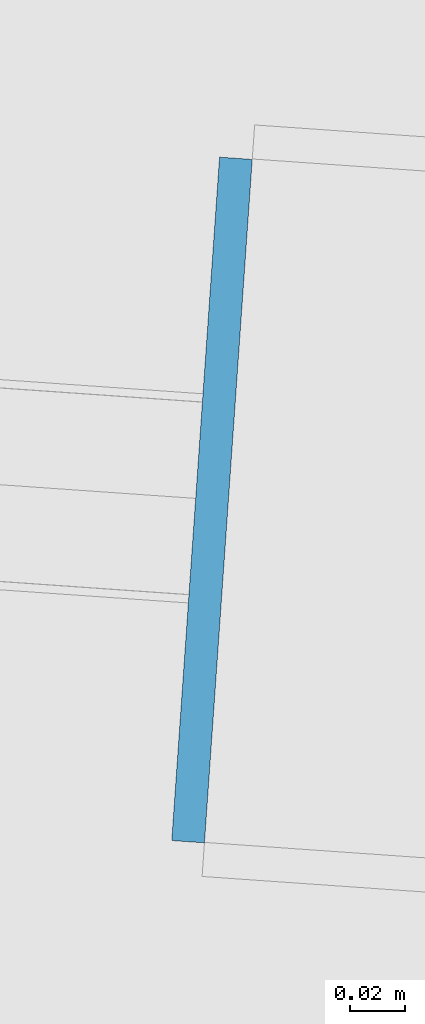
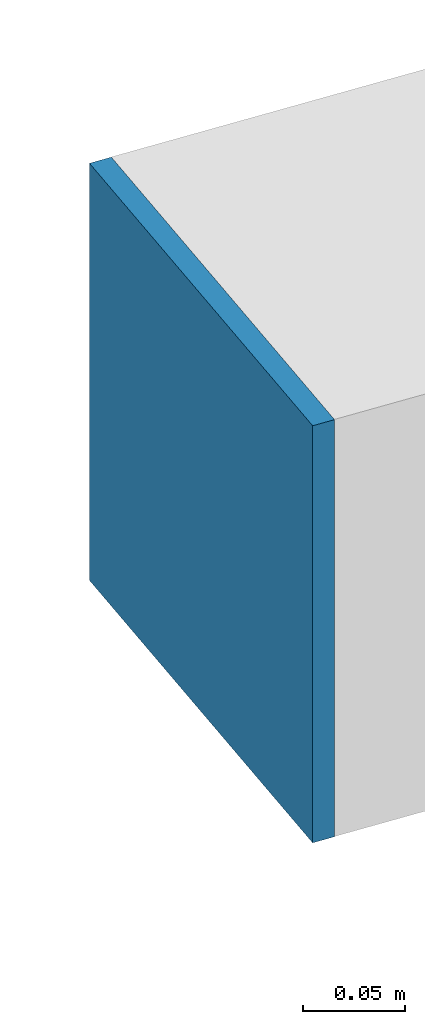
# One storey, part 29 of 39: 1 plate.
"""IFC4 building model written with IfcOpenShell, lengths in metres."""

from ifc_helpers import new_model, si_unit, direction, frame, origin, origin_2d, place, context, subcontext, project, spatial, rectangle, extrude, source, transform, mapped, material, layer, layer_set, type_object, element, save


model = new_model("IFC4")

# Units and contexts
model_context = context("Model", 3, precision=1e-05, world=origin(), true_north=direction((0.0, 1.0)))
body_context = subcontext(model_context, "Body", "Model", "MODEL_VIEW")
ifc_project = project(units=[si_unit("LENGTHUNIT", "METRE"), si_unit("AREAUNIT", "SQUARE_METRE"), si_unit("VOLUMEUNIT", "CUBIC_METRE"), si_unit("PLANEANGLEUNIT", "RADIAN"), si_unit("MASSUNIT", "GRAM", prefix="KILO")], contexts=[model_context])

# Site, building, storey
site_placement = place(None, origin())
site = spatial("IfcSite", under=ifc_project, at=site_placement, CompositionType="ELEMENT")
building_placement = place(site_placement, origin())
building = spatial("IfcBuilding", under=site, at=building_placement, Name="Taldren Reach Tower", CompositionType="ELEMENT")
storey_placement = place(building_placement, frame((0.0, 0.0, 120.39990234375)))
storey = spatial("IfcBuildingStorey", under=building, at=storey_placement, Name="L36", CompositionType="ELEMENT", Elevation=120.39990234375)

# Plate
ifc_material = material(Name="Steel Gr 350 (C350L0)", Category="steel")
ifc_layer = layer(ifc_material, 0.011962890625)
ifc_layer_set = layer_set([ifc_layer], Name="Steel Gr 350 (C350L0)")
plate_type = type_object("IfcPlateType", Name="PL-CAP-250", PredefinedType="SHEET", material=ifc_layer_set)
shared_shape = source(origin(), body_context, "Body", "SweptSolid", [
    extrude(rectangle(XDim=0.011962890625, YDim=0.25, at=origin_2d()), origin(), (0.0, 0.0, 1.0), 0.25),
])
plate_placement = place(storey_placement, frame((8.3095703125, 21.976806640625, 0.09521484375), z_axis=(0.0, 0.0, 1.0), x_axis=(0.99756405026, -0.069756473744, 0.0)))
element("IfcPlate", 1, at=plate_placement, inside=storey, type_object=plate_type, Name="Tie strut end cap plate B3-W2 L36", PredefinedType="SHEET", context=body_context, shape_type="MappedRepresentation", body=[
    mapped(shared_shape, transform((0.0, 0.0, 0.0), scale=1.0)),
])

save(model, "model.ifc")
